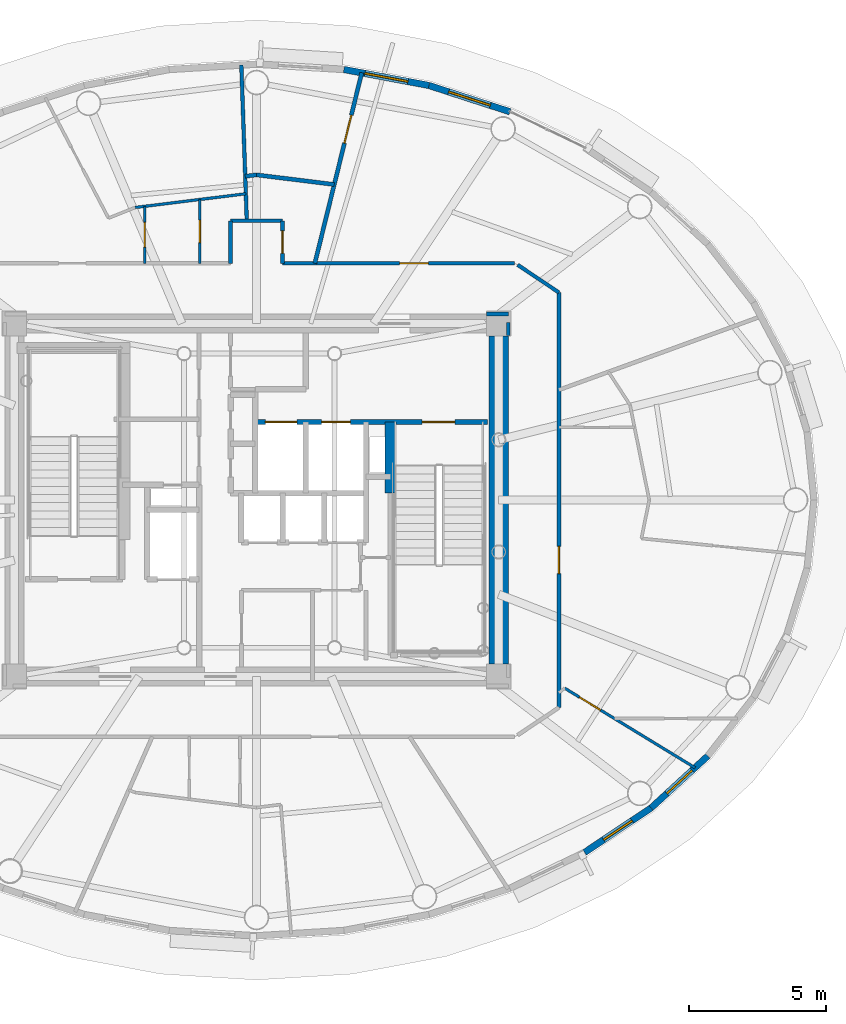
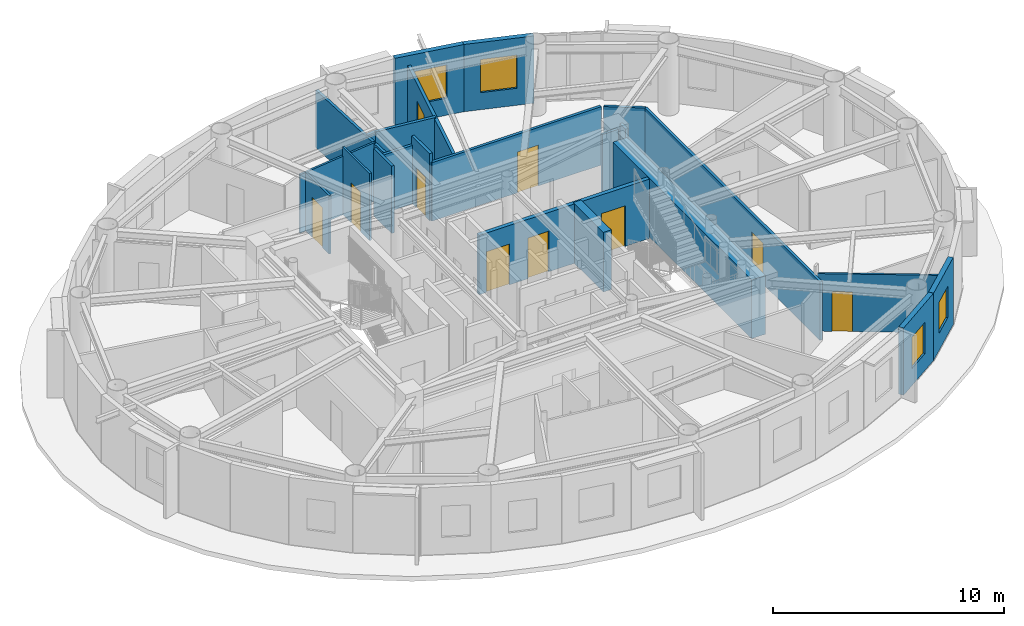
# One storey, part 10 of 17: 23 walls, 10 doors, 4 windows, 14 openings.
"""IFC4 building model written with IfcOpenShell, lengths in metres."""

from ifc_helpers import new_model, si_unit, direction, frame, frame_2d, origin, origin_2d, place, context, subcontext, project, spatial, rectangle, extrude, source, transform, mapped, material, layer, layer_set, type_object, element, fill, save


model = new_model("IFC4")

# Units and contexts
model_context = context("Model", 3, precision=1e-05, world=origin(), true_north=direction((0.0, 1.0)))
body_context = subcontext(model_context, "Body", "Model", "MODEL_VIEW")
ifc_project = project(units=[si_unit("LENGTHUNIT", "METRE"), si_unit("AREAUNIT", "SQUARE_METRE"), si_unit("VOLUMEUNIT", "CUBIC_METRE"), si_unit("PLANEANGLEUNIT", "RADIAN"), si_unit("MASSUNIT", "GRAM", prefix="KILO")], contexts=[model_context])

# Site, building, storey
site_placement = place(None, origin())
site = spatial("IfcSite", under=ifc_project, at=site_placement, CompositionType="ELEMENT")
building_placement = place(site_placement, origin())
building = spatial("IfcBuilding", under=site, at=building_placement, Name="Linh Dai School and Residence Tower", CompositionType="ELEMENT")
storey_placement = place(building_placement, frame((0.0, 0.0, 324.0)))
storey = spatial("IfcBuildingStorey", under=building, at=storey_placement, Name="L80", CompositionType="ELEMENT", Elevation=324.0)

# Wall, opening, window
ifc_material_1 = material(Name="Precast Concrete B45 (C35/45)", Category="concrete")
ifc_layer_1 = layer(ifc_material_1, 0.239990234375)
ifc_layer_set_1 = layer_set([ifc_layer_1], Name="Precast Concrete B45 (C35/45)")
wall_type_1 = type_object("IfcWallType", Name="EW-TC-240", PredefinedType="SOLIDWALL", material=ifc_layer_set_1)
wall_1_placement = place(storey_placement, frame((42.303955078125, 42.14794921875, 0.0), z_axis=(0.0, 0.0, 1.0), x_axis=(0.951212850731, -0.308535431682, 0.0)))
wall_1 = element("IfcWall", 1, at=wall_1_placement, inside=storey, type_object=wall_type_1, Name="L80 Terracotta Exterior Wall 08", PredefinedType="SOLIDWALL", context=body_context, shape_type="SweptSolid", body=[
    extrude(rectangle(XDim=3.108154296875, YDim=0.239990234375, at=frame_2d((1.55419921875, 0.0))), origin(), (0.0, 0.0, 1.0), 3.550048828125),
])
opening_1_placement = place(wall_1_placement, frame((0.75390625, 0.0, 0.89990234375)))
opening_1 = element("IfcOpeningElement", 2, at=opening_1_placement, cuts=wall_1, Name="Opening W2", PredefinedType="OPENING", context=body_context, shape_type="SweptSolid", body=[
    extrude(rectangle(XDim=1.60009765625, YDim=1.75, at=origin_2d()), frame((0.800048828125, 0.1298828125, 0.875), z_axis=(0.0, -1.0, 0.0), x_axis=(1.0, 0.0, 0.0)), (0.0, 0.0, 1.0), 0.260009765625),
])
ifc_material_2 = material(Name="Double Low-E Insulated Glazing", Category="glass")
window_type_1 = type_object("IfcWindowType", Name="WN-RES-1600x1750", PartitioningType="DOUBLE_PANEL_VERTICAL", PredefinedType="WINDOW", material=ifc_material_2)
shared_shape_1 = source(origin(), body_context, "Body", "SweptSolid", [
    extrude(rectangle(XDim=1.60009765625, YDim=1.75, at=origin_2d()), frame((0.800048828125, 0.030029296875, 0.875), z_axis=(0.0, -1.0, 0.0), x_axis=(1.0, 0.0, 0.0)), (0.0, 0.0, 1.0), 0.06005859375),
])
window_1_placement = place(opening_1_placement, origin())
window_1 = element("IfcWindow", 3, at=window_1_placement, inside=storey, type_object=window_type_1, Name="L80 Exterior Window 08.1", OverallHeight=1.75, OverallWidth=1.60009765625, PartitioningType="DOUBLE_PANEL_VERTICAL", PredefinedType="WINDOW", context=body_context, shape_type="MappedRepresentation", body=[
    mapped(shared_shape_1, transform((0.0, 0.0, 0.0), x_axis=(1.0, 0.0, 0.0), y_axis=(0.0, 1.0, 0.0), z_axis=(0.0, 0.0, 1.0), scale=1.0)),
])
fill(opening_1, window_1)

wall_2_placement = place(storey_placement, frame((39.19140625, 42.7333984375, 0.0), z_axis=(0.0, 0.0, 1.0), x_axis=(0.98276643264, -0.184851667226, 0.0)))
wall_2 = element("IfcWall", 4, at=wall_2_placement, inside=storey, type_object=wall_type_1, Name="L80 Terracotta Exterior Wall 09", PredefinedType="SOLIDWALL", context=body_context, shape_type="SweptSolid", body=[
    extrude(rectangle(XDim=3.167236328125, YDim=0.239990234375, at=frame_2d((1.58349609375, 0.0))), origin(), (0.0, 0.0, 1.0), 3.550048828125),
])
opening_2_placement = place(wall_2_placement, frame((0.783447265625, 0.0, 0.89990234375)))
opening_2 = element("IfcOpeningElement", 5, at=opening_2_placement, cuts=wall_2, Name="Opening W2", PredefinedType="OPENING", context=body_context, shape_type="SweptSolid", body=[
    extrude(rectangle(XDim=1.60009765625, YDim=1.75, at=origin_2d()), frame((0.800048828125, 0.1298828125, 0.875), z_axis=(0.0, -1.0, 0.0), x_axis=(1.0, 0.0, 0.0)), (0.0, 0.0, 1.0), 0.260009765625),
])
window_2_placement = place(opening_2_placement, origin())
window_2 = element("IfcWindow", 6, at=window_2_placement, inside=storey, type_object=window_type_1, Name="L80 Exterior Window 09.1", OverallHeight=1.75, OverallWidth=1.60009765625, PartitioningType="DOUBLE_PANEL_VERTICAL", PredefinedType="WINDOW", context=body_context, shape_type="MappedRepresentation", body=[
    mapped(shared_shape_1, transform((0.0, 0.0, 0.0), x_axis=(1.0, 0.0, 0.0), y_axis=(0.0, 1.0, 0.0), z_axis=(0.0, 0.0, 1.0), scale=1.0)),
])
fill(opening_2, window_2)

wall_3_placement = place(storey_placement, frame((50.418701171875, 15.745849609375, 0.0), z_axis=(0.0, 0.0, 1.0), x_axis=(-0.831201688654, -0.555970999944, 0.0)))
wall_3 = element("IfcWall", 7, at=wall_3_placement, inside=storey, type_object=wall_type_1, Name="L80 Terracotta Exterior Wall 35", PredefinedType="SOLIDWALL", context=body_context, shape_type="SweptSolid", body=[
    extrude(rectangle(XDim=2.924560546875, YDim=0.239990234375, at=frame_2d((1.46240234375, 0.0))), origin(), (0.0, 0.0, 1.0), 3.550048828125),
])
opening_3_placement = place(wall_3_placement, frame((0.83740234375, 0.0, 0.89990234375)))
opening_3 = element("IfcOpeningElement", 8, at=opening_3_placement, cuts=wall_3, Name="Opening W3", PredefinedType="OPENING", context=body_context, shape_type="SweptSolid", body=[
    extrude(rectangle(XDim=1.25, YDim=1.64990234375, at=origin_2d()), frame((0.625, 0.1298828125, 0.824951171875), z_axis=(0.0, -1.0, 0.0), x_axis=(1.0, 0.0, 0.0)), (0.0, 0.0, 1.0), 0.260009765625),
])
window_type_2 = type_object("IfcWindowType", Name="WN-RES-1250x1650", PartitioningType="SINGLE_PANEL", PredefinedType="WINDOW", material=ifc_material_2)
shared_shape_2 = source(origin(), body_context, "Body", "SweptSolid", [
    extrude(rectangle(XDim=1.25, YDim=1.64990234375, at=origin_2d()), frame((0.625, 0.030029296875, 0.824951171875), z_axis=(0.0, -1.0, 0.0), x_axis=(1.0, 0.0, 0.0)), (0.0, 0.0, 1.0), 0.06005859375),
])
window_3_placement = place(opening_3_placement, origin())
window_3 = element("IfcWindow", 9, at=window_3_placement, inside=storey, type_object=window_type_2, Name="L80 Exterior Window 35.1", OverallHeight=1.64990234375, OverallWidth=1.25, PartitioningType="SINGLE_PANEL", PredefinedType="WINDOW", context=body_context, shape_type="MappedRepresentation", body=[
    mapped(shared_shape_2, transform((0.0, 0.0, 0.0), x_axis=(1.0, 0.0, 0.0), y_axis=(0.0, 1.0, 0.0), z_axis=(0.0, 0.0, 1.0), scale=1.0)),
])
fill(opening_3, window_3)

wall_4_placement = place(storey_placement, frame((52.4931640625, 17.648193359375, 0.0), z_axis=(0.0, 0.0, 1.0), x_axis=(-0.737020907932, -0.675869944051, 0.0)))
wall_4 = element("IfcWall", 10, at=wall_4_placement, inside=storey, type_object=wall_type_1, Name="L80 Terracotta Exterior Wall 36", PredefinedType="SOLIDWALL", context=body_context, shape_type="SweptSolid", body=[
    extrude(rectangle(XDim=2.814697265625, YDim=0.239990234375, at=frame_2d((1.4072265625, 0.0))), origin(), (0.0, 0.0, 1.0), 3.550048828125),
])
opening_4_placement = place(wall_4_placement, frame((0.78271484375, 0.0, 0.89990234375)))
opening_4 = element("IfcOpeningElement", 11, at=opening_4_placement, cuts=wall_4, Name="Opening W3", PredefinedType="OPENING", context=body_context, shape_type="SweptSolid", body=[
    extrude(rectangle(XDim=1.25, YDim=1.64990234375, at=origin_2d()), frame((0.625, 0.1298828125, 0.824951171875), z_axis=(0.0, -1.0, 0.0), x_axis=(1.0, 0.0, 0.0)), (0.0, 0.0, 1.0), 0.260009765625),
])
window_4_placement = place(opening_4_placement, origin())
window_4 = element("IfcWindow", 12, at=window_4_placement, inside=storey, type_object=window_type_2, Name="L80 Exterior Window 36.1", OverallHeight=1.64990234375, OverallWidth=1.25, PartitioningType="SINGLE_PANEL", PredefinedType="WINDOW", context=body_context, shape_type="MappedRepresentation", body=[
    mapped(shared_shape_2, transform((0.0, 0.0, 0.0), x_axis=(1.0, 0.0, 0.0), y_axis=(0.0, 1.0, 0.0), z_axis=(0.0, 0.0, 1.0), scale=1.0)),
])
fill(opening_4, window_4)

# Walls
ifc_material_3 = material(Name="Autoclaved Aerated Concrete Blockwork", Category="masonry")
ifc_layer_2 = layer(ifc_material_3, 0.135009765625)
ifc_layer_set_2 = layer_set([ifc_layer_2], Name="Autoclaved Aerated Concrete Blockwork")
wall_type_2 = type_object("IfcWallType", Name="IW-CORR-135-EI90", PredefinedType="PARTITIONING", material=ifc_layer_set_2)
wall_5_placement = place(storey_placement, frame((35.050048828125, 35.64990234375, 0.0), z_axis=(0.0, 0.0, 1.0), x_axis=(0.0, 1.0, 0.0)))
element("IfcWall", 13, at=wall_5_placement, inside=storey, type_object=wall_type_2, Name="L80 Interior Partition Wall 042", PredefinedType="PARTITIONING", context=body_context, shape_type="SweptSolid", body=[
    extrude(rectangle(XDim=1.550048828125, YDim=0.135009765625, at=frame_2d((0.77490234375, 0.0))), origin(), (0.0, 0.0, 1.0), 3.550048828125),
])
wall_6_placement = place(storey_placement, frame((35.050048828125, 37.199951171875, 0.0), z_axis=(0.0, 0.0, 1.0), x_axis=(1.0, 0.0, 0.0)))
element("IfcWall", 14, at=wall_6_placement, inside=storey, type_object=wall_type_2, Name="L80 Interior Partition Wall 043", PredefinedType="PARTITIONING", context=body_context, shape_type="SweptSolid", body=[
    extrude(rectangle(XDim=1.89990234375, YDim=0.135009765625, at=frame_2d((0.949951171875, 0.0))), origin(), (0.0, 0.0, 1.0), 3.0849609375),
])
wall_7_placement = place(storey_placement, frame((35.44482421875, 42.90087890625, 0.0), z_axis=(0.0, 0.0, 1.0), x_axis=(0.034882398737, -0.999391423947, 0.0)))
element("IfcWall", 15, at=wall_7_placement, inside=storey, type_object=wall_type_2, Name="L80 Interior Partition Wall 045", PredefinedType="PARTITIONING", context=body_context, shape_type="SweptSolid", body=[
    extrude(rectangle(XDim=5.7041015625, YDim=0.135009765625, at=frame_2d((2.85205078125, 0.0))), origin(), (0.0, 0.0, 1.0), 3.034912109375),
])

# Wall, opening, door
wall_8_placement = place(storey_placement, frame((36.949951171875, 35.64990234375, 0.0), z_axis=(0.0, 0.0, 1.0), x_axis=(0.0, 1.0, 0.0)))
wall_8 = element("IfcWall", 16, at=wall_8_placement, inside=storey, type_object=wall_type_2, Name="L80 Interior Partition Wall 057", PredefinedType="PARTITIONING", context=body_context, shape_type="SweptSolid", body=[
    extrude(rectangle(XDim=1.550048828125, YDim=0.135009765625, at=frame_2d((0.77490234375, 0.0))), origin(), (0.0, 0.0, 1.0), 3.550048828125),
])
opening_5_placement = place(wall_8_placement, frame((0.364990234375, 0.0, 0.0)))
opening_5 = element("IfcOpeningElement", 17, at=opening_5_placement, cuts=wall_8, Name="Opening D06", PredefinedType="OPENING", context=body_context, shape_type="SweptSolid", body=[
    extrude(rectangle(XDim=0.820068359375, YDim=2.10009765625, at=origin_2d()), frame((0.41015625, 0.07763671875, 1.050048828125), z_axis=(0.0, -1.0, 0.0), x_axis=(1.0, 0.0, 0.0)), (0.0, 0.0, 1.0), 0.155029296875),
])
ifc_material_4 = material(Name="Moisture-Resistant Timber Bathroom Door", Category="wood")
door_type_1 = type_object("IfcDoorType", Name="DR-WET-820x2100", OperationType="NOTDEFINED", PredefinedType="DOOR", material=ifc_material_4)
shared_shape_3 = source(origin(), body_context, "Body", "SweptSolid", [
    extrude(rectangle(XDim=0.820068359375, YDim=2.10009765625, at=origin_2d()), frame((0.41015625, 0.02490234375, 1.050048828125), z_axis=(0.0, -1.0, 0.0), x_axis=(1.0, 0.0, 0.0)), (0.0, 0.0, 1.0), 0.050048828125),
])
door_1_placement = place(opening_5_placement, origin())
door_1 = element("IfcDoor", 18, at=door_1_placement, inside=storey, type_object=door_type_1, Name="L80 Amenity Accessible WC Door", OperationType="SINGLE_SWING_RIGHT", OverallHeight=2.10009765625, OverallWidth=0.820068359375, PredefinedType="DOOR", context=body_context, shape_type="MappedRepresentation", body=[
    mapped(shared_shape_3, transform((0.0, 0.0, 0.0), x_axis=(1.0, 0.0, 0.0), y_axis=(0.0, 1.0, 0.0), z_axis=(0.0, 0.0, 1.0), scale=1.0)),
])
fill(opening_5, door_1)

wall_9_placement = place(storey_placement, frame((36.949951171875, 35.64990234375, 0.0), z_axis=(0.0, 0.0, 1.0), x_axis=(1.0, 0.0, 0.0)))
wall_9 = element("IfcWall", 19, at=wall_9_placement, inside=storey, type_object=wall_type_2, Name="L80 Interior Partition Wall 058", PredefinedType="PARTITIONING", context=body_context, shape_type="SweptSolid", body=[
    extrude(rectangle(XDim=8.469970703125, YDim=0.135009765625, at=frame_2d((4.23486328125, 0.0))), origin(), (0.0, 0.0, 1.0), 3.0849609375),
])
opening_6_placement = place(wall_9_placement, frame((4.280517578125, 0.0, 0.0)))
opening_6 = element("IfcOpeningElement", 20, at=opening_6_placement, cuts=wall_9, Name="Opening D04", PredefinedType="OPENING", context=body_context, shape_type="SweptSolid", body=[
    extrude(rectangle(XDim=1.050048828125, YDim=2.14990234375, at=origin_2d()), frame((0.52490234375, 0.07763671875, 1.074951171875), z_axis=(0.0, -1.0, 0.0), x_axis=(1.0, 0.0, 0.0)), (0.0, 0.0, 1.0), 0.155029296875),
])
ifc_material_5 = material(Name="Acoustic Vision-Panel Timber Classroom Door", Category="wood")
door_type_2 = type_object("IfcDoorType", Name="DR-SCH-1050x2150-FD60S", OperationType="NOTDEFINED", PredefinedType="DOOR", material=ifc_material_5)
shared_shape_4 = source(origin(), body_context, "Body", "SweptSolid", [
    extrude(rectangle(XDim=1.050048828125, YDim=2.14990234375, at=origin_2d()), frame((0.52490234375, 0.02490234375, 1.074951171875), z_axis=(0.0, -1.0, 0.0), x_axis=(1.0, 0.0, 0.0)), (0.0, 0.0, 1.0), 0.050048828125),
])
door_2_placement = place(opening_6_placement, origin())
door_2 = element("IfcDoor", 21, at=door_2_placement, inside=storey, type_object=door_type_2, Name="L80 Summit Library and Music Conservatory Door", OperationType="SINGLE_SWING_LEFT", OverallHeight=2.14990234375, OverallWidth=1.050048828125, PredefinedType="DOOR", context=body_context, shape_type="MappedRepresentation", body=[
    mapped(shared_shape_4, transform((0.0, 0.0, 0.0), x_axis=(1.0, 0.0, 0.0), y_axis=(0.0, 1.0, 0.0), z_axis=(0.0, 0.0, 1.0), scale=1.0)),
])
fill(opening_6, door_2)

# Wall
wall_10_placement = place(storey_placement, frame((45.541259765625, 35.591796875, 0.0), z_axis=(0.0, 0.0, 1.0), x_axis=(0.831180227396, -0.556003084151, 0.0)))
element("IfcWall", 22, at=wall_10_placement, inside=storey, type_object=wall_type_2, Name="L80 Interior Partition Wall 073", PredefinedType="PARTITIONING", context=body_context, shape_type="SweptSolid", body=[
    extrude(rectangle(XDim=1.815185546875, YDim=0.135009765625, at=frame_2d((0.90771484375, 0.0))), origin(), (0.0, 0.0, 1.0), 3.0849609375),
])

# Wall, opening, door
wall_11_placement = place(storey_placement, frame((47.050048828125, 19.41748046875, 0.0), z_axis=(0.0, 0.0, 1.0), x_axis=(0.0, 1.0, 0.0)))
wall_11 = element("IfcWall", 23, at=wall_11_placement, inside=storey, type_object=wall_type_2, Name="L80 Interior Partition Wall 074", PredefinedType="PARTITIONING", context=body_context, shape_type="SweptSolid", body=[
    extrude(rectangle(XDim=15.1650390625, YDim=0.135009765625, at=frame_2d((7.58251953125, 0.0))), origin(), (0.0, 0.0, 1.0), 3.0849609375),
])
opening_7_placement = place(wall_11_placement, frame((4.8876953125, 0.0, 0.0)))
opening_7 = element("IfcOpeningElement", 24, at=opening_7_placement, cuts=wall_11, Name="Opening D03", PredefinedType="OPENING", context=body_context, shape_type="SweptSolid", body=[
    extrude(rectangle(XDim=1.0, YDim=2.14990234375, at=origin_2d()), frame((0.5, 0.07763671875, 1.074951171875), z_axis=(0.0, -1.0, 0.0), x_axis=(1.0, 0.0, 0.0)), (0.0, 0.0, 1.0), 0.155029296875),
])
ifc_material_6 = material(Name="Fire-Rated Solid Timber Entrance Door", Category="wood")
door_type_3 = type_object("IfcDoorType", Name="DR-FLAT-1000x2150-FD60S", OperationType="NOTDEFINED", PredefinedType="DOOR", material=ifc_material_6)
shared_shape_5 = source(origin(), body_context, "Body", "SweptSolid", [
    extrude(rectangle(XDim=1.0, YDim=2.14990234375, at=origin_2d()), frame((0.5, 0.02490234375, 1.074951171875), z_axis=(0.0, -1.0, 0.0), x_axis=(1.0, 0.0, 0.0)), (0.0, 0.0, 1.0), 0.050048828125),
])
door_3_placement = place(opening_7_placement, origin())
door_3 = element("IfcDoor", 25, at=door_3_placement, inside=storey, type_object=door_type_3, Name="L80 U8004 Apartment Entrance Door", OperationType="SINGLE_SWING_LEFT", OverallHeight=2.14990234375, OverallWidth=1.0, PredefinedType="DOOR", context=body_context, shape_type="MappedRepresentation", body=[
    mapped(shared_shape_5, transform((0.0, 0.0, 0.0), x_axis=(1.0, 0.0, 0.0), y_axis=(0.0, 1.0, 0.0), z_axis=(0.0, 0.0, 1.0), scale=1.0)),
])
fill(opening_7, door_3)

# Walls
wall_12_placement = place(storey_placement, frame((45.199951171875, 33.800048828125, 0.0), z_axis=(0.0, 0.0, 1.0), x_axis=(-1.0, 0.0, 0.0)))
element("IfcWall", 26, at=wall_12_placement, inside=storey, type_object=wall_type_2, Name="L80 Interior Partition Wall 086", PredefinedType="PARTITIONING", context=body_context, shape_type="SweptSolid", body=[
    extrude(rectangle(XDim=0.7900390625, YDim=0.135009765625, at=frame_2d((0.39501953125, 0.0))), origin(), (0.0, 0.0, 1.0), 3.0849609375),
])
wall_13_placement = place(storey_placement, frame((45.199951171875, 33.010009765625, 0.0), z_axis=(0.0, 0.0, 1.0), x_axis=(0.0, 1.0, 0.0)))
element("IfcWall", 27, at=wall_13_placement, inside=storey, type_object=wall_type_2, Name="L80 Interior Partition Wall 093", PredefinedType="PARTITIONING", context=body_context, shape_type="SweptSolid", body=[
    extrude(rectangle(XDim=0.482421875, YDim=0.135009765625, at=frame_2d((0.2412109375, 0.0))), origin(), (0.0, 0.0, 1.0), 3.550048828125),
])
ifc_layer_3 = layer(ifc_material_3, 0.14990234375)
ifc_layer_set_3 = layer_set([ifc_layer_3], Name="Autoclaved Aerated Concrete Blockwork")
wall_type_3 = type_object("IfcWallType", Name="IW-SCH-150-EI60", PredefinedType="PARTITIONING", material=ifc_layer_set_3)
wall_14_placement = place(storey_placement, frame((35.5869140625, 38.829345703125, 0.0), z_axis=(0.0, 0.0, 1.0), x_axis=(0.992385778562, 0.123168447694, 0.0)))
element("IfcWall", 28, at=wall_14_placement, inside=storey, type_object=wall_type_3, Name="L80 Interior Partition Wall 050", PredefinedType="PARTITIONING", context=body_context, shape_type="SweptSolid", body=[
    extrude(rectangle(XDim=0.416259765625, YDim=0.14990234375, at=frame_2d((0.2080078125, 0.0))), origin(), (0.0, 0.0, 1.0), 3.0849609375),
])
wall_15_placement = place(storey_placement, frame((36.0, 38.880615234375, 0.0), z_axis=(0.0, 0.0, 1.0), x_axis=(0.992394243789, -0.123100222968, 0.0)))
element("IfcWall", 29, at=wall_15_placement, inside=storey, type_object=wall_type_3, Name="L80 Interior Partition Wall 055", PredefinedType="PARTITIONING", context=body_context, shape_type="SweptSolid", body=[
    extrude(rectangle(XDim=2.86181640625, YDim=0.14990234375, at=frame_2d((1.430908203125, 0.0))), origin(), (0.0, 0.0, 1.0), 3.0849609375),
])

# Wall, opening, door
wall_16_placement = place(storey_placement, frame((38.131103515625, 35.64990234375, 0.0), z_axis=(0.0, 0.0, 1.0), x_axis=(0.239186894174, 0.970973547351, 0.0)))
wall_16 = element("IfcWall", 30, at=wall_16_placement, inside=storey, type_object=wall_type_3, Name="L80 Interior Partition Wall 063", PredefinedType="PARTITIONING", context=body_context, shape_type="SweptSolid", body=[
    extrude(rectangle(XDim=7.173583984375, YDim=0.14990234375, at=frame_2d((3.5869140625, 0.0))), origin(), (0.0, 0.0, 1.0), 3.034912109375),
])
opening_8_placement = place(wall_16_placement, frame((4.52392578125, 0.0, 0.0)))
opening_8 = element("IfcOpeningElement", 31, at=opening_8_placement, cuts=wall_16, Name="Opening D04", PredefinedType="OPENING", context=body_context, shape_type="SweptSolid", body=[
    extrude(rectangle(XDim=1.050048828125, YDim=2.14990234375, at=origin_2d()), frame((0.52490234375, 0.0849609375, 1.074951171875), z_axis=(0.0, -1.0, 0.0), x_axis=(1.0, 0.0, 0.0)), (0.0, 0.0, 1.0), 0.169921875),
])
door_4_placement = place(opening_8_placement, origin())
door_4 = element("IfcDoor", 32, at=door_4_placement, inside=storey, type_object=door_type_2, Name="L80 Amenity Tea Salon Door", OperationType="SINGLE_SWING_LEFT", OverallHeight=2.14990234375, OverallWidth=1.050048828125, PredefinedType="DOOR", context=body_context, shape_type="MappedRepresentation", body=[
    mapped(shared_shape_4, transform((0.0, 0.0, 0.0), x_axis=(1.0, 0.0, 0.0), y_axis=(0.0, 1.0, 0.0), z_axis=(0.0, 0.0, 1.0), scale=1.0)),
])
fill(opening_8, door_4)

# Wall, openings, doors
ifc_material_7 = material(Name="Concrete B45 (C35/45)", Category="concrete")
ifc_layer_4 = layer(ifc_material_7, 0.199951171875)
ifc_layer_set_4 = layer_set([ifc_layer_4], Name="Concrete B45 (C35/45)")
wall_type_4 = type_object("IfcWallType", Name="IW-SHAFT-200-EI120", PredefinedType="PARTITIONING", material=ifc_layer_set_4)
wall_17_placement = place(storey_placement, frame((35.949951171875, 29.85009765625, 0.0), z_axis=(0.0, 0.0, 1.0), x_axis=(1.0, 0.0, 0.0)))
wall_17 = element("IfcWall", 33, at=wall_17_placement, inside=storey, type_object=wall_type_4, Name="L80 Interior Partition Wall 052", PredefinedType="PARTITIONING", context=body_context, shape_type="SweptSolid", body=[
    extrude(rectangle(XDim=8.489990234375, YDim=0.199951171875, at=frame_2d((4.2451171875, 0.0))), origin(), (0.0, 0.0, 1.0), 3.135009765625),
])
opening_9_placement = place(wall_17_placement, frame((6.10009765625, 0.0, 0.0)))
opening_9 = element("IfcOpeningElement", 34, at=opening_9_placement, cuts=wall_17, Name="Opening D01", PredefinedType="OPENING", context=body_context, shape_type="SweptSolid", body=[
    extrude(rectangle(XDim=1.199951171875, YDim=2.14990234375, at=origin_2d()), frame((0.60009765625, 0.10986328125, 1.074951171875), z_axis=(0.0, -1.0, 0.0), x_axis=(1.0, 0.0, 0.0)), (0.0, 0.0, 1.0), 0.219970703125),
])
opening_10_placement = place(wall_17_placement, frame((0.3701171875, 0.0, 0.0)))
opening_10 = element("IfcOpeningElement", 35, at=opening_10_placement, cuts=wall_17, Name="Opening LD-FF1", PredefinedType="OPENING", context=body_context, shape_type="SweptSolid", body=[
    extrude(rectangle(XDim=1.14990234375, YDim=2.14990234375, at=origin_2d()), frame((0.574951171875, 0.10986328125, 1.074951171875), z_axis=(0.0, -1.0, 0.0), x_axis=(1.0, 0.0, 0.0)), (0.0, 0.0, 1.0), 0.219970703125),
])
opening_11_placement = place(wall_17_placement, frame((2.425048828125, 0.0, 0.0)))
opening_11 = element("IfcOpeningElement", 36, at=opening_11_placement, cuts=wall_17, Name="Opening LD-SV1", PredefinedType="OPENING", context=body_context, shape_type="SweptSolid", body=[
    extrude(rectangle(XDim=1.050048828125, YDim=2.14990234375, at=origin_2d()), frame((0.52490234375, 0.10986328125, 1.074951171875), z_axis=(0.0, -1.0, 0.0), x_axis=(1.0, 0.0, 0.0)), (0.0, 0.0, 1.0), 0.219970703125),
])
ifc_material_8 = material(Name="Fire-Rated Steel Door Leaf", Category="steel")
door_type_4 = type_object("IfcDoorType", Name="DR-STAIR-1200x2150-FD90S", OperationType="NOTDEFINED", PredefinedType="DOOR", material=ifc_material_8)
shared_shape_6 = source(origin(), body_context, "Body", "SweptSolid", [
    extrude(rectangle(XDim=1.199951171875, YDim=2.14990234375, at=origin_2d()), frame((0.60009765625, 0.02490234375, 1.074951171875), z_axis=(0.0, -1.0, 0.0), x_axis=(1.0, 0.0, 0.0)), (0.0, 0.0, 1.0), 0.050048828125),
])
door_5_placement = place(opening_9_placement, origin())
door_5 = element("IfcDoor", 37, at=door_5_placement, inside=storey, type_object=door_type_4, Name="L80 Core Smokeproof Exit Stair ST2 Door", OperationType="SINGLE_SWING_RIGHT", OverallHeight=2.14990234375, OverallWidth=1.199951171875, PredefinedType="DOOR", context=body_context, shape_type="MappedRepresentation", body=[
    mapped(shared_shape_6, transform((0.0, 0.0, 0.0), x_axis=(1.0, 0.0, 0.0), y_axis=(0.0, 1.0, 0.0), z_axis=(0.0, 0.0, 1.0), scale=1.0)),
])
fill(opening_9, door_5)
ifc_material_9 = material(Name="Fire-Rated Stainless Steel Firefighting Lift Door", Category="steel")
door_type_5 = type_object("IfcDoorType", Name="DR-LD-FF-1150x2150-FD120", OperationType="DOUBLE_DOOR_SLIDING", PredefinedType="USERDEFINED", material=ifc_material_9)
shared_shape_7 = source(origin(), body_context, "Body", "SweptSolid", [
    extrude(rectangle(XDim=1.14990234375, YDim=2.14990234375, at=origin_2d()), frame((0.574951171875, 0.02490234375, 1.074951171875), z_axis=(0.0, -1.0, 0.0), x_axis=(1.0, 0.0, 0.0)), (0.0, 0.0, 1.0), 0.050048828125),
])
door_6_placement = place(opening_10_placement, origin())
door_6 = element("IfcDoor", 38, at=door_6_placement, inside=storey, type_object=door_type_5, Name="L80 Lift FF1 Sliding Landing Door", ObjectType="LANDING DOOR", OperationType="DOUBLE_DOOR_SLIDING", OverallHeight=2.14990234375, OverallWidth=1.14990234375, PredefinedType="USERDEFINED", context=body_context, shape_type="MappedRepresentation", body=[
    mapped(shared_shape_7, transform((0.0, 0.0, 0.0), x_axis=(1.0, 0.0, 0.0), y_axis=(0.0, 1.0, 0.0), z_axis=(0.0, 0.0, 1.0), scale=1.0)),
])
fill(opening_10, door_6)
ifc_material_10 = material(Name="Brushed Stainless Steel Lift Landing Door", Category="steel")
door_type_6 = type_object("IfcDoorType", Name="DR-LD-PASS-1050x2150", OperationType="DOUBLE_DOOR_SLIDING", PredefinedType="USERDEFINED", material=ifc_material_10)
shared_shape_8 = source(origin(), body_context, "Body", "SweptSolid", [
    extrude(rectangle(XDim=1.050048828125, YDim=2.14990234375, at=origin_2d()), frame((0.52490234375, 0.02490234375, 1.074951171875), z_axis=(0.0, -1.0, 0.0), x_axis=(1.0, 0.0, 0.0)), (0.0, 0.0, 1.0), 0.050048828125),
])
door_7_placement = place(opening_11_placement, origin())
door_7 = element("IfcDoor", 39, at=door_7_placement, inside=storey, type_object=door_type_6, Name="L80 Lift SV1 Sliding Landing Door", ObjectType="LANDING DOOR", OperationType="DOUBLE_DOOR_SLIDING", OverallHeight=2.14990234375, OverallWidth=1.050048828125, PredefinedType="USERDEFINED", context=body_context, shape_type="MappedRepresentation", body=[
    mapped(shared_shape_8, transform((0.0, 0.0, 0.0), x_axis=(1.0, 0.0, 0.0), y_axis=(0.0, 1.0, 0.0), z_axis=(0.0, 0.0, 1.0), scale=1.0)),
])
fill(opening_11, door_7)

# Wall
ifc_material_11 = material(Name="Gypsum Plasterboard Acoustic Stud Partition", Category="masonry")
ifc_layer_5 = layer(ifc_material_11, 0.10009765625)
ifc_layer_set_5 = layer_set([ifc_layer_5], Name="Gypsum Plasterboard Acoustic Stud Partition")
wall_type_5 = type_object("IfcWallType", Name="IW-UNIT-100", PredefinedType="PARTITIONING", material=ifc_layer_set_5)
wall_18_placement = place(storey_placement, frame((31.565673828125, 37.6884765625, 0.0), z_axis=(0.0, 0.0, 1.0), x_axis=(0.99239906881, 0.123061318965, 0.0)))
element("IfcWall", 40, at=wall_18_placement, inside=storey, type_object=wall_type_5, Name="L80 Interior Partition Wall 027", PredefinedType="PARTITIONING", context=body_context, shape_type="SweptSolid", body=[
    extrude(rectangle(XDim=4.074951171875, YDim=0.10009765625, at=frame_2d((2.03759765625, 0.0))), origin(), (0.0, 0.0, 1.0), 3.0849609375),
])

# Wall, opening, door
wall_19_placement = place(storey_placement, frame((31.91650390625, 35.64990234375, 0.0), z_axis=(0.0, 0.0, 1.0), x_axis=(0.0, 1.0, 0.0)))
wall_19 = element("IfcWall", 41, at=wall_19_placement, inside=storey, type_object=wall_type_5, Name="L80 Interior Partition Wall 028", PredefinedType="PARTITIONING", context=body_context, shape_type="SweptSolid", body=[
    extrude(rectangle(XDim=2.08203125, YDim=0.10009765625, at=frame_2d((1.041015625, 0.0))), origin(), (0.0, 0.0, 1.0), 3.0849609375),
])
opening_12_placement = place(wall_19_placement, frame((0.591064453125, 0.0, 0.0)))
opening_12 = element("IfcOpeningElement", 42, at=opening_12_placement, cuts=wall_19, Name="Opening D05", PredefinedType="OPENING", context=body_context, shape_type="SweptSolid", body=[
    extrude(rectangle(XDim=0.89990234375, YDim=2.10009765625, at=origin_2d()), frame((0.449951171875, 0.06005859375, 1.050048828125), z_axis=(0.0, -1.0, 0.0), x_axis=(1.0, 0.0, 0.0)), (0.0, 0.0, 1.0), 0.1201171875),
])
ifc_material_12 = material(Name="Engineered Timber Internal Door", Category="wood")
door_type_7 = type_object("IfcDoorType", Name="DR-INT-900x2100", OperationType="NOTDEFINED", PredefinedType="DOOR", material=ifc_material_12)
shared_shape_9 = source(origin(), body_context, "Body", "SweptSolid", [
    extrude(rectangle(XDim=0.89990234375, YDim=2.10009765625, at=origin_2d()), frame((0.449951171875, 0.02490234375, 1.050048828125), z_axis=(0.0, -1.0, 0.0), x_axis=(1.0, 0.0, 0.0)), (0.0, 0.0, 1.0), 0.050048828125),
])
door_8_placement = place(opening_12_placement, origin())
door_8 = element("IfcDoor", 43, at=door_8_placement, inside=storey, type_object=door_type_7, Name="L80 Apartment U8001 Kitchen Door", OperationType="SINGLE_SWING_RIGHT", OverallHeight=2.10009765625, OverallWidth=0.89990234375, PredefinedType="DOOR", context=body_context, shape_type="MappedRepresentation", body=[
    mapped(shared_shape_9, transform((0.0, 0.0, 0.0), x_axis=(1.0, 0.0, 0.0), y_axis=(0.0, 1.0, 0.0), z_axis=(0.0, 0.0, 1.0), scale=1.0)),
])
fill(opening_12, door_8)

wall_20_placement = place(storey_placement, frame((33.9287109375, 35.64990234375, 0.0), z_axis=(0.0, 0.0, 1.0), x_axis=(0.0, 1.0, 0.0)))
wall_20 = element("IfcWall", 44, at=wall_20_placement, inside=storey, type_object=wall_type_5, Name="L80 Interior Partition Wall 035", PredefinedType="PARTITIONING", context=body_context, shape_type="SweptSolid", body=[
    extrude(rectangle(XDim=2.331787109375, YDim=0.10009765625, at=frame_2d((1.166015625, 0.0))), origin(), (0.0, 0.0, 1.0), 3.550048828125),
])
opening_13_placement = place(wall_20_placement, frame((0.755859375, 0.0, 0.0)))
opening_13 = element("IfcOpeningElement", 45, at=opening_13_placement, cuts=wall_20, Name="Opening D06", PredefinedType="OPENING", context=body_context, shape_type="SweptSolid", body=[
    extrude(rectangle(XDim=0.820068359375, YDim=2.10009765625, at=origin_2d()), frame((0.41015625, 0.06005859375, 1.050048828125), z_axis=(0.0, -1.0, 0.0), x_axis=(1.0, 0.0, 0.0)), (0.0, 0.0, 1.0), 0.1201171875),
])
door_9_placement = place(opening_13_placement, origin())
door_9 = element("IfcDoor", 46, at=door_9_placement, inside=storey, type_object=door_type_1, Name="L80 Apartment U8001 Bathroom 1 Door", OperationType="SINGLE_SWING_LEFT", OverallHeight=2.10009765625, OverallWidth=0.820068359375, PredefinedType="DOOR", context=body_context, shape_type="MappedRepresentation", body=[
    mapped(shared_shape_3, transform((0.0, 0.0, 0.0), x_axis=(1.0, 0.0, 0.0), y_axis=(0.0, 1.0, 0.0), z_axis=(0.0, 0.0, 1.0), scale=1.0)),
])
fill(opening_13, door_9)

wall_21_placement = place(storey_placement, frame((47.2626953125, 20.12255859375, 0.0), z_axis=(0.0, 0.0, 1.0), x_axis=(0.853468822161, -0.521143904886, 0.0)))
wall_21 = element("IfcWall", 47, at=wall_21_placement, inside=storey, type_object=wall_type_5, Name="L80 Interior Partition Wall 078", PredefinedType="PARTITIONING", context=body_context, shape_type="SweptSolid", body=[
    extrude(rectangle(XDim=5.581787109375, YDim=0.10009765625, at=frame_2d((2.791015625, 0.0))), origin(), (0.0, 0.0, 1.0), 3.034912109375),
])
opening_14_placement = place(wall_21_placement, frame((0.635986328125, 0.0, 0.0)))
opening_14 = element("IfcOpeningElement", 48, at=opening_14_placement, cuts=wall_21, Name="Opening D05", PredefinedType="OPENING", context=body_context, shape_type="SweptSolid", body=[
    extrude(rectangle(XDim=0.89990234375, YDim=2.10009765625, at=origin_2d()), frame((0.449951171875, 0.06005859375, 1.050048828125), z_axis=(0.0, -1.0, 0.0), x_axis=(1.0, 0.0, 0.0)), (0.0, 0.0, 1.0), 0.1201171875),
])
door_10_placement = place(opening_14_placement, origin())
door_10 = element("IfcDoor", 49, at=door_10_placement, inside=storey, type_object=door_type_7, Name="L80 Apartment U8004 Bedroom 1 Door", OperationType="SINGLE_SWING_RIGHT", OverallHeight=2.10009765625, OverallWidth=0.89990234375, PredefinedType="DOOR", context=body_context, shape_type="MappedRepresentation", body=[
    mapped(shared_shape_9, transform((0.0, 0.0, 0.0), x_axis=(1.0, 0.0, 0.0), y_axis=(0.0, 1.0, 0.0), z_axis=(0.0, 0.0, 1.0), scale=1.0)),
])
fill(opening_14, door_10)

# Walls
ifc_layer_6 = layer(ifc_material_7, 0.39990234375)
ifc_layer_set_6 = layer_set([ifc_layer_6], Name="Concrete B45 (C35/45)")
wall_type_6 = type_object("IfcWallType", Name="WL-CORE400", PredefinedType="SHEAR", material=ifc_layer_set_6)
wall_22_placement = place(storey_placement, frame((40.89990234375, 27.25, 0.0), z_axis=(0.0, 0.0, 1.0), x_axis=(0.0, 1.0, 0.0)))
element("IfcWall", 50, at=wall_22_placement, inside=storey, type_object=wall_type_6, Name="L80 Internal Core Shear Wall IE", PredefinedType="SHEAR", context=body_context, shape_type="SweptSolid", body=[
    extrude(rectangle(XDim=2.60009765625, YDim=0.39990234375, at=frame_2d((1.300048828125, 0.0))), origin(), (0.0, 0.0, 1.0), 3.14990234375),
])
ifc_layer_7 = layer(ifc_material_7, 0.699951171875)
ifc_layer_set_7 = layer_set([ifc_layer_7], Name="Concrete B45 (C35/45)")
wall_type_7 = type_object("IfcWallType", Name="WL-CORE700", PredefinedType="SHEAR", material=ifc_layer_set_7)
wall_23_placement = place(storey_placement, frame((44.85009765625, 33.0, 0.0), z_axis=(0.0, 0.0, 1.0), x_axis=(0.0, -1.0, 0.0)))
element("IfcWall", 51, at=wall_23_placement, inside=storey, type_object=wall_type_7, Name="L80 Central Core Shear Wall E", PredefinedType="SHEAR", context=body_context, shape_type="SweptSolid", body=[
    extrude(rectangle(XDim=12.0, YDim=0.699951171875, at=frame_2d((6.0, 0.0))), origin(), (0.0, 0.0, 1.0), 3.10009765625),
])

save(model, "model.ifc")
